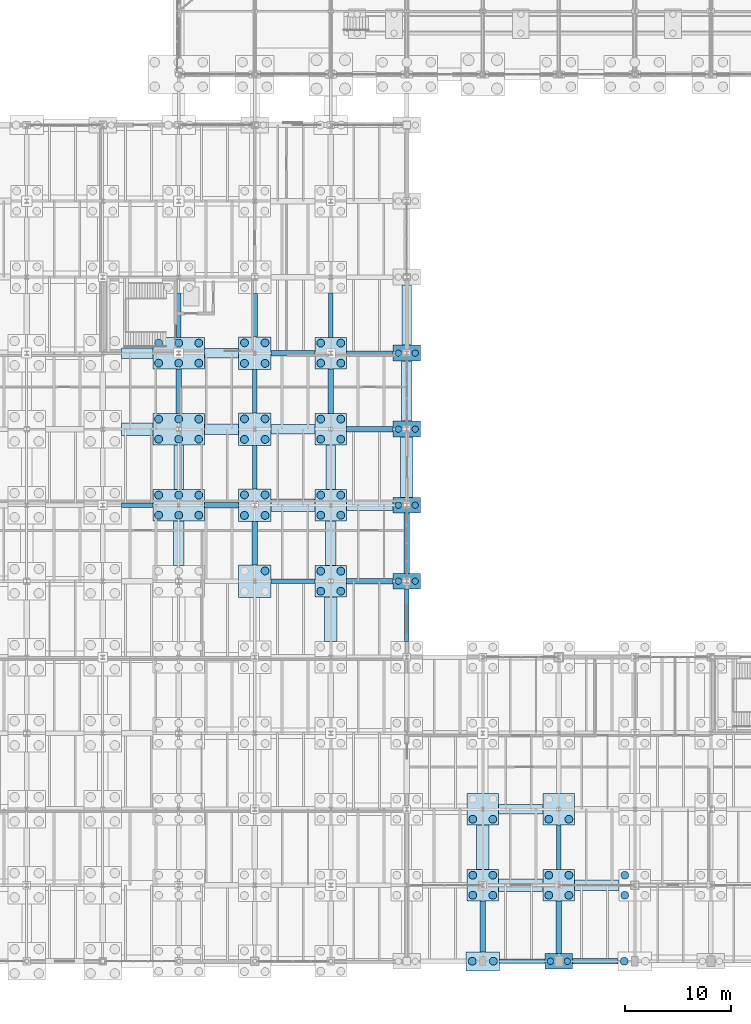
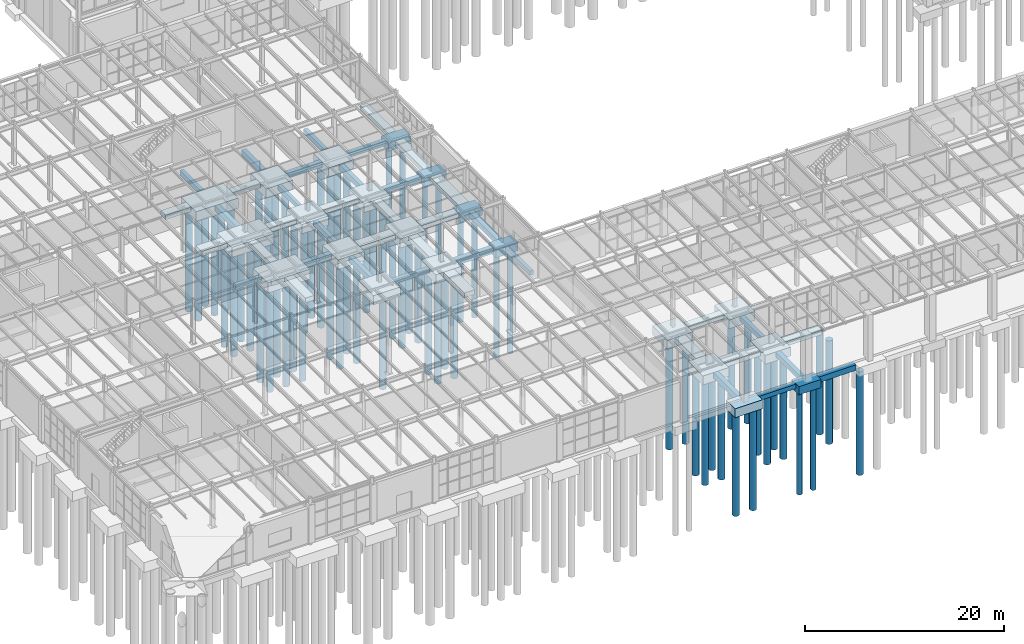
# One storey, part 4 of 293: 74 piles, 62 footings.
"""IFC4 building model written with IfcOpenShell, lengths in metres."""

from ifc_helpers import new_model, si_unit, direction, frame, origin, origin_2d, place, context, subcontext, project, spatial, rectangle, circle, extrude, material, material_profile, profile_set, type_object, element, save


model = new_model("IFC4")

# Units and contexts
model_context = context("Model", 3, precision=1e-05, world=origin(), true_north=direction((0.0, 1.0)))
body_context = subcontext(model_context, "Body", "Model", "MODEL_VIEW")
ifc_project = project(units=[si_unit("LENGTHUNIT", "METRE"), si_unit("AREAUNIT", "SQUARE_METRE"), si_unit("VOLUMEUNIT", "CUBIC_METRE"), si_unit("PLANEANGLEUNIT", "RADIAN"), si_unit("MASSUNIT", "GRAM", prefix="KILO")], contexts=[model_context])

# Site, building, storey
site_placement = place(None, origin())
site = spatial("IfcSite", under=ifc_project, at=site_placement, CompositionType="ELEMENT")
building_placement = place(site_placement, origin())
building = spatial("IfcBuilding", under=site, at=building_placement, Name="Kemerveld Promenade Tramway Depot", CompositionType="ELEMENT")
storey_placement = place(building_placement, origin())
storey = spatial("IfcBuildingStorey", under=building, at=storey_placement, Name="L00", CompositionType="ELEMENT", Elevation=0.0)

# Footings
ifc_material = material(Name="Concrete C35/45", Category="concrete")
footing_type_1 = type_object("IfcFootingType", Name="FT-GB01", PredefinedType="FOOTING_BEAM", material=ifc_material)
footing_1_placement = place(storey_placement, frame((54.10009765625, 50.39990234375, -0.949951171875), z_axis=(0.0, 0.0, 1.0), x_axis=(1.0, 0.0, 0.0)))
element("IfcFooting", 1, at=footing_1_placement, inside=storey, type_object=footing_type_1, Name="GBX-08-09-H", PredefinedType="FOOTING_BEAM", context=body_context, shape_type="SweptSolid", body=[
    extrude(rectangle(XDim=4.39990234375, YDim=0.5, at=origin_2d()), origin(), (0.0, 0.0, 1.0), 0.64990234375),
])
footing_2_placement = place(storey_placement, frame((46.824951171875, 57.60009765625, -0.949951171875), z_axis=(0.0, 0.0, 1.0), x_axis=(1.0, 0.0, 0.0)))
element("IfcFooting", 2, at=footing_2_placement, inside=storey, type_object=footing_type_1, Name="GBX-07-08-J", PredefinedType="FOOTING_BEAM", context=body_context, shape_type="SweptSolid", body=[
    extrude(rectangle(XDim=4.14990234375, YDim=0.5, at=origin_2d()), origin(), (0.0, 0.0, 1.0), 0.64990234375),
])
footing_3_placement = place(storey_placement, frame((36.0, 54.0, -0.949951171875), z_axis=(0.0, 0.0, 1.0), x_axis=(0.0, 1.0, 0.0)))
element("IfcFooting", 3, at=footing_3_placement, inside=storey, type_object=footing_type_1, Name="GBY-06-H-J", PredefinedType="FOOTING_BEAM", context=body_context, shape_type="SweptSolid", body=[
    extrude(rectangle(XDim=4.199951171875, YDim=0.5, at=origin_2d()), origin(), (0.0, 0.0, 1.0), 0.64990234375),
])
footing_4_placement = place(storey_placement, frame((43.199951171875, 39.60009765625, -0.949951171875), z_axis=(0.0, 0.0, 1.0), x_axis=(0.0, 1.0, 0.0)))
element("IfcFooting", 4, at=footing_4_placement, inside=storey, type_object=footing_type_1, Name="GBY-07-F-G", PredefinedType="FOOTING_BEAM", context=body_context, shape_type="SweptSolid", body=[
    extrude(rectangle(XDim=4.10009765625, YDim=0.5, at=origin_2d()), origin(), (0.0, 0.0, 1.0), 0.64990234375),
])
footing_5_placement = place(storey_placement, frame((50.39990234375, 54.0, -0.949951171875), z_axis=(0.0, 0.0, 1.0), x_axis=(0.0, 1.0, 0.0)))
element("IfcFooting", 5, at=footing_5_placement, inside=storey, type_object=footing_type_1, Name="GBY-08-H-J", PredefinedType="FOOTING_BEAM", context=body_context, shape_type="SweptSolid", body=[
    extrude(rectangle(XDim=4.199951171875, YDim=0.5, at=origin_2d()), origin(), (0.0, 0.0, 1.0), 0.64990234375),
])
footing_6_placement = place(storey_placement, frame((72.0, 3.22509765625, -0.949951171875), z_axis=(0.0, 0.0, 1.0), x_axis=(0.0, 1.0, 0.0)))
element("IfcFooting", 6, at=footing_6_placement, inside=storey, type_object=footing_type_1, Name="GBY-11-A-B", PredefinedType="FOOTING_BEAM", context=body_context, shape_type="SweptSolid", body=[
    extrude(rectangle(XDim=4.949951171875, YDim=0.5, at=origin_2d()), origin(), (0.0, 0.0, 1.0), 0.64990234375),
])
footing_type_2 = type_object("IfcFootingType", Name="FT-GB02", PredefinedType="FOOTING_BEAM", material=ifc_material)
footing_7_placement = place(storey_placement, frame((54.10009765625, 57.60009765625, -0.900146484375), z_axis=(0.0, 0.0, 1.0), x_axis=(1.0, 0.0, 0.0)))
element("IfcFooting", 7, at=footing_7_placement, inside=storey, type_object=footing_type_2, Name="GBX-08-09-J", PredefinedType="FOOTING_BEAM", context=body_context, shape_type="SweptSolid", body=[
    extrude(rectangle(XDim=4.39990234375, YDim=0.449951171875, at=origin_2d()), origin(), (0.0, 0.0, 1.0), 0.60009765625),
])
footing_8_placement = place(storey_placement, frame((36.0, 61.175048828125, -0.900146484375), z_axis=(0.0, 0.0, 1.0), x_axis=(0.0, 1.0, 0.0)))
element("IfcFooting", 8, at=footing_8_placement, inside=storey, type_object=footing_type_2, Name="GBY-06-J-K", PredefinedType="FOOTING_BEAM", context=body_context, shape_type="SweptSolid", body=[
    extrude(rectangle(XDim=4.14990234375, YDim=0.449951171875, at=origin_2d()), origin(), (0.0, 0.0, 1.0), 0.60009765625),
])
footing_9_placement = place(storey_placement, frame((43.199951171875, 46.800048828125, -0.900146484375), z_axis=(0.0, 0.0, 1.0), x_axis=(0.0, 1.0, 0.0)))
element("IfcFooting", 9, at=footing_9_placement, inside=storey, type_object=footing_type_2, Name="GBY-07-G-H", PredefinedType="FOOTING_BEAM", context=body_context, shape_type="SweptSolid", body=[
    extrude(rectangle(XDim=4.10009765625, YDim=0.449951171875, at=origin_2d()), origin(), (0.0, 0.0, 1.0), 0.60009765625),
])
for number, where, z_axis, x_axis, name in (
    (10, (50.39990234375, 61.199951171875, -0.900146484375), (0.0, 0.0, 1.0), (0.0, 1.0, 0.0), "GBY-08-J-K"),
    (11, (72.0, 10.800048828125, -0.900146484375), (0.0, 0.0, 1.0), (0.0, 1.0, 0.0), "GBY-11-B-C"),
):
    element("IfcFooting", number, at=place(storey_placement, frame(where, z_axis=z_axis, x_axis=x_axis)), inside=storey, type_object=footing_type_2, Name=name, PredefinedType="FOOTING_BEAM", context=body_context, shape_type="SweptSolid", body=[
        extrude(rectangle(XDim=4.199951171875, YDim=0.449951171875, at=origin_2d()), origin(), (0.0, 0.0, 1.0), 0.60009765625),
    ])
footing_type_3 = type_object("IfcFootingType", Name="FT-GB03", PredefinedType="FOOTING_BEAM", material=ifc_material)
footing_10_placement = place(storey_placement, frame((68.550048828125, 0.0, -0.85009765625), z_axis=(0.0, 0.0, 1.0), x_axis=(1.0, 0.0, 0.0)))
element("IfcFooting", 12, at=footing_10_placement, inside=storey, type_object=footing_type_3, Name="GBX-10-11-A", PredefinedType="FOOTING_BEAM", context=body_context, shape_type="SweptSolid", body=[
    extrude(rectangle(XDim=4.300048828125, YDim=0.39990234375, at=origin_2d()), origin(), (0.0, 0.0, 1.0), 0.550048828125),
])
footing_11_placement = place(storey_placement, frame((46.824951171875, 36.0, -0.85009765625), z_axis=(0.0, 0.0, 1.0), x_axis=(1.0, 0.0, 0.0)))
element("IfcFooting", 13, at=footing_11_placement, inside=storey, type_object=footing_type_3, Name="GBX-07-08-F", PredefinedType="FOOTING_BEAM", context=body_context, shape_type="SweptSolid", body=[
    extrude(rectangle(XDim=4.14990234375, YDim=0.39990234375, at=origin_2d()), origin(), (0.0, 0.0, 1.0), 0.550048828125),
])
footing_12_placement = place(storey_placement, frame((32.0625, 43.199951171875, -0.85009765625), z_axis=(0.0, 0.0, 1.0), x_axis=(1.0, 0.0, 0.0)))
element("IfcFooting", 14, at=footing_12_placement, inside=storey, type_object=footing_type_3, Name="GBX-05-06-G", PredefinedType="FOOTING_BEAM", context=body_context, shape_type="SweptSolid", body=[
    extrude(rectangle(XDim=2.97509765625, YDim=0.39990234375, at=origin_2d()), origin(), (0.0, 0.0, 1.0), 0.550048828125),
])
footing_13_placement = place(storey_placement, frame((43.199951171875, 54.0, -0.85009765625), z_axis=(0.0, 0.0, 1.0), x_axis=(0.0, 1.0, 0.0)))
element("IfcFooting", 15, at=footing_13_placement, inside=storey, type_object=footing_type_3, Name="GBY-07-H-J", PredefinedType="FOOTING_BEAM", context=body_context, shape_type="SweptSolid", body=[
    extrude(rectangle(XDim=4.10009765625, YDim=0.39990234375, at=origin_2d()), origin(), (0.0, 0.0, 1.0), 0.550048828125),
])
footing_14_placement = place(storey_placement, frame((57.60009765625, 32.77490234375, -0.85009765625), z_axis=(0.0, 0.0, 1.0), x_axis=(0.0, 1.0, 0.0)))
element("IfcFooting", 16, at=footing_14_placement, inside=storey, type_object=footing_type_3, Name="GBY-09-E-F", PredefinedType="FOOTING_BEAM", context=body_context, shape_type="SweptSolid", body=[
    extrude(rectangle(XDim=4.949951171875, YDim=0.39990234375, at=origin_2d()), origin(), (0.0, 0.0, 1.0), 0.550048828125),
])
footing_type_4 = type_object("IfcFootingType", Name="FT-GB04", PredefinedType="FOOTING_BEAM", material=ifc_material)
footing_15_placement = place(storey_placement, frame((75.449951171875, 0.0, -1.0), z_axis=(0.0, 0.0, 1.0), x_axis=(1.0, 0.0, 0.0)))
element("IfcFooting", 17, at=footing_15_placement, inside=storey, type_object=footing_type_4, Name="GBX-11-12-A", PredefinedType="FOOTING_BEAM", context=body_context, shape_type="SweptSolid", body=[
    extrude(rectangle(XDim=4.300048828125, YDim=0.550048828125, at=origin_2d()), origin(), (0.0, 0.0, 1.0), 0.699951171875),
])
footing_16_placement = place(storey_placement, frame((54.10009765625, 36.0, -1.0), z_axis=(0.0, 0.0, 1.0), x_axis=(1.0, 0.0, 0.0)))
element("IfcFooting", 18, at=footing_16_placement, inside=storey, type_object=footing_type_4, Name="GBX-08-09-F", PredefinedType="FOOTING_BEAM", context=body_context, shape_type="SweptSolid", body=[
    extrude(rectangle(XDim=4.39990234375, YDim=0.550048828125, at=origin_2d()), origin(), (0.0, 0.0, 1.0), 0.699951171875),
])
footing_17_placement = place(storey_placement, frame((40.050048828125, 43.199951171875, -1.0), z_axis=(0.0, 0.0, 1.0), x_axis=(1.0, 0.0, 0.0)))
element("IfcFooting", 19, at=footing_17_placement, inside=storey, type_object=footing_type_4, Name="GBX-06-07-G", PredefinedType="FOOTING_BEAM", context=body_context, shape_type="SweptSolid", body=[
    extrude(rectangle(XDim=3.199951171875, YDim=0.550048828125, at=origin_2d()), origin(), (0.0, 0.0, 1.0), 0.699951171875),
])
footing_18_placement = place(storey_placement, frame((43.199951171875, 61.199951171875, -1.0), z_axis=(0.0, 0.0, 1.0), x_axis=(0.0, 1.0, 0.0)))
element("IfcFooting", 20, at=footing_18_placement, inside=storey, type_object=footing_type_4, Name="GBY-07-J-K", PredefinedType="FOOTING_BEAM", context=body_context, shape_type="SweptSolid", body=[
    extrude(rectangle(XDim=4.10009765625, YDim=0.550048828125, at=origin_2d()), origin(), (0.0, 0.0, 1.0), 0.699951171875),
])
footing_19_placement = place(storey_placement, frame((57.60009765625, 39.60009765625, -1.0), z_axis=(0.0, 0.0, 1.0), x_axis=(0.0, 1.0, 0.0)))
element("IfcFooting", 21, at=footing_19_placement, inside=storey, type_object=footing_type_4, Name="GBY-09-F-G", PredefinedType="FOOTING_BEAM", context=body_context, shape_type="SweptSolid", body=[
    extrude(rectangle(XDim=5.699951171875, YDim=0.550048828125, at=origin_2d()), origin(), (0.0, 0.0, 1.0), 0.699951171875),
])
footing_20_placement = place(storey_placement, frame((64.800048828125, 3.300048828125, -1.0), z_axis=(0.0, 0.0, 1.0), x_axis=(0.0, 1.0, 0.0)))
element("IfcFooting", 22, at=footing_20_placement, inside=storey, type_object=footing_type_4, Name="GBY-10-A-B", PredefinedType="FOOTING_BEAM", context=body_context, shape_type="SweptSolid", body=[
    extrude(rectangle(XDim=4.800048828125, YDim=0.550048828125, at=origin_2d()), origin(), (0.0, 0.0, 1.0), 0.699951171875),
])
footing_type_5 = type_object("IfcFootingType", Name="FT-PC04", PredefinedType="PILE_CAP", material=ifc_material)
for number, where, z_axis, x_axis, name in (
    (23, (43.199951171875, 36.0, -1.449951171875), (0.0, 0.0, 1.0), (1.0, 0.0, 0.0), "FT-07-F"),
    (24, (43.199951171875, 43.199951171875, -1.449951171875), (0.0, 0.0, 1.0), (1.0, 0.0, 0.0), "FT-07-G"),
    (25, (43.199951171875, 50.39990234375, -1.449951171875), (0.0, 0.0, 1.0), (1.0, 0.0, 0.0), "FT-07-H"),
    (26, (43.199951171875, 57.60009765625, -1.449951171875), (0.0, 0.0, 1.0), (1.0, 0.0, 0.0), "FT-07-J"),
):
    element("IfcFooting", number, at=place(storey_placement, frame(where, z_axis=z_axis, x_axis=x_axis)), inside=storey, type_object=footing_type_5, Name=name, PredefinedType="PILE_CAP", context=body_context, shape_type="SweptSolid", body=[
        extrude(rectangle(XDim=3.10009765625, YDim=3.10009765625, at=origin_2d()), origin(), (0.0, 0.0, 1.0), 1.14990234375),
    ])
footing_type_6 = type_object("IfcFootingType", Name="FT-PC05", PredefinedType="PILE_CAP", material=ifc_material)
for number, where, z_axis, x_axis, name in (
    (27, (50.39990234375, 36.0, -1.400146484375), (0.0, 0.0, 1.0), (1.0, 0.0, 0.0), "FT-08-F"),
    (28, (50.39990234375, 43.199951171875, -1.400146484375), (0.0, 0.0, 1.0), (1.0, 0.0, 0.0), "FT-08-G"),
    (29, (50.39990234375, 50.39990234375, -1.400146484375), (0.0, 0.0, 1.0), (1.0, 0.0, 0.0), "FT-08-H"),
    (30, (50.39990234375, 57.60009765625, -1.400146484375), (0.0, 0.0, 1.0), (1.0, 0.0, 0.0), "FT-08-J"),
    (31, (64.800048828125, 7.199951171875, -1.400146484375), (0.0, 0.0, 1.0), (1.0, 0.0, 0.0), "FT-10-B"),
    (32, (64.800048828125, 14.39990234375, -1.400146484375), (0.0, 0.0, 1.0), (1.0, 0.0, 0.0), "FT-10-C"),
    (33, (72.0, 7.199951171875, -1.400146484375), (0.0, 0.0, 1.0), (1.0, 0.0, 0.0), "FT-11-B"),
    (34, (72.0, 14.39990234375, -1.400146484375), (0.0, 0.0, 1.0), (1.0, 0.0, 0.0), "FT-11-C"),
):
    element("IfcFooting", number, at=place(storey_placement, frame(where, z_axis=z_axis, x_axis=x_axis)), inside=storey, type_object=footing_type_6, Name=name, PredefinedType="PILE_CAP", context=body_context, shape_type="SweptSolid", body=[
        extrude(rectangle(XDim=3.0, YDim=3.0, at=origin_2d()), origin(), (0.0, 0.0, 1.0), 1.10009765625),
    ])
footing_type_7 = type_object("IfcFootingType", Name="FT-PC06", PredefinedType="PILE_CAP", material=ifc_material)
footing_21_placement = place(storey_placement, frame((64.800048828125, 0.0, -1.400146484375), z_axis=(0.0, 0.0, 1.0), x_axis=(1.0, 0.0, 0.0)))
element("IfcFooting", 35, at=footing_21_placement, inside=storey, type_object=footing_type_7, Name="FT-10-A", PredefinedType="PILE_CAP", context=body_context, shape_type="SweptSolid", body=[
    extrude(rectangle(XDim=3.199951171875, YDim=1.800048828125, at=origin_2d()), origin(), (0.0, 0.0, 1.0), 1.10009765625),
])
footing_type_8 = type_object("IfcFootingType", Name="FT-PC08", PredefinedType="PILE_CAP", material=ifc_material)
for number, where, z_axis, x_axis, name in (
    (36, (57.60009765625, 36.0, -1.300048828125), (0.0, 0.0, 1.0), (1.0, 0.0, 0.0), "FT-09-F"),
    (37, (57.60009765625, 43.199951171875, -1.300048828125), (0.0, 0.0, 1.0), (1.0, 0.0, 0.0), "FT-09-G"),
    (38, (57.60009765625, 50.39990234375, -1.300048828125), (0.0, 0.0, 1.0), (1.0, 0.0, 0.0), "FT-09-H"),
    (39, (57.60009765625, 57.60009765625, -1.300048828125), (0.0, 0.0, 1.0), (1.0, 0.0, 0.0), "FT-09-J"),
    (40, (72.0, 0.0, -1.300048828125), (0.0, 0.0, 1.0), (1.0, 0.0, 0.0), "FT-11-A"),
):
    element("IfcFooting", number, at=place(storey_placement, frame(where, z_axis=z_axis, x_axis=x_axis)), inside=storey, type_object=footing_type_8, Name=name, PredefinedType="PILE_CAP", context=body_context, shape_type="SweptSolid", body=[
        extrude(rectangle(XDim=2.60009765625, YDim=1.5, at=origin_2d()), origin(), (0.0, 0.0, 1.0), 1.0),
    ])
footing_type_9 = type_object("IfcFootingType", Name="FT-PC10", PredefinedType="PILE_CAP", material=ifc_material)
for number, where, z_axis, x_axis, name in (
    (41, (36.0, 43.199951171875, -1.550048828125), (0.0, 0.0, 1.0), (1.0, 0.0, 0.0), "FT-06-G"),
    (42, (36.0, 50.39990234375, -1.550048828125), (0.0, 0.0, 1.0), (1.0, 0.0, 0.0), "FT-06-H"),
    (43, (36.0, 57.60009765625, -1.550048828125), (0.0, 0.0, 1.0), (1.0, 0.0, 0.0), "FT-06-J"),
):
    element("IfcFooting", number, at=place(storey_placement, frame(where, z_axis=z_axis, x_axis=x_axis)), inside=storey, type_object=footing_type_9, Name=name, PredefinedType="PILE_CAP", context=body_context, shape_type="SweptSolid", body=[
        extrude(rectangle(XDim=4.89990234375, YDim=3.0, at=origin_2d()), origin(), (0.0, 0.0, 1.0), 1.25),
    ])
footing_type_10 = type_object("IfcFootingType", Name="FT-SF01", PredefinedType="STRIP_FOOTING", material=ifc_material)
footing_22_placement = place(storey_placement, frame((68.39990234375, 7.199951171875, -0.900146484375), z_axis=(0.0, 0.0, 1.0), x_axis=(1.0, 0.0, 0.0)))
element("IfcFooting", 44, at=footing_22_placement, inside=storey, type_object=footing_type_10, Name="GBX-10-11-B", PredefinedType="STRIP_FOOTING", context=body_context, shape_type="SweptSolid", body=[
    extrude(rectangle(XDim=4.199951171875, YDim=1.199951171875, at=origin_2d()), origin(), (0.0, 0.0, 1.0), 0.60009765625),
])
footing_23_placement = place(storey_placement, frame((46.824951171875, 43.199951171875, -0.900146484375), z_axis=(0.0, 0.0, 1.0), x_axis=(1.0, 0.0, 0.0)))
element("IfcFooting", 45, at=footing_23_placement, inside=storey, type_object=footing_type_10, Name="GBX-07-08-G", PredefinedType="STRIP_FOOTING", context=body_context, shape_type="SweptSolid", body=[
    extrude(rectangle(XDim=4.14990234375, YDim=1.199951171875, at=origin_2d()), origin(), (0.0, 0.0, 1.0), 0.60009765625),
])
footing_24_placement = place(storey_placement, frame((32.0625, 50.39990234375, -0.900146484375), z_axis=(0.0, 0.0, 1.0), x_axis=(1.0, 0.0, 0.0)))
element("IfcFooting", 46, at=footing_24_placement, inside=storey, type_object=footing_type_10, Name="GBX-05-06-H", PredefinedType="STRIP_FOOTING", context=body_context, shape_type="SweptSolid", body=[
    extrude(rectangle(XDim=2.97509765625, YDim=1.199951171875, at=origin_2d()), origin(), (0.0, 0.0, 1.0), 0.60009765625),
])
footing_25_placement = place(storey_placement, frame((50.39990234375, 32.39990234375, -0.900146484375), z_axis=(0.0, 0.0, 1.0), x_axis=(0.0, 1.0, 0.0)))
element("IfcFooting", 47, at=footing_25_placement, inside=storey, type_object=footing_type_10, Name="GBY-08-E-F", PredefinedType="STRIP_FOOTING", context=body_context, shape_type="SweptSolid", body=[
    extrude(rectangle(XDim=4.199951171875, YDim=1.199951171875, at=origin_2d()), origin(), (0.0, 0.0, 1.0), 0.60009765625),
])
footing_26_placement = place(storey_placement, frame((57.60009765625, 46.800048828125, -0.900146484375), z_axis=(0.0, 0.0, 1.0), x_axis=(0.0, 1.0, 0.0)))
element("IfcFooting", 48, at=footing_26_placement, inside=storey, type_object=footing_type_10, Name="GBY-09-G-H", PredefinedType="STRIP_FOOTING", context=body_context, shape_type="SweptSolid", body=[
    extrude(rectangle(XDim=5.699951171875, YDim=1.199951171875, at=origin_2d()), origin(), (0.0, 0.0, 1.0), 0.60009765625),
])
footing_27_placement = place(storey_placement, frame((64.800048828125, 10.800048828125, -0.900146484375), z_axis=(0.0, 0.0, 1.0), x_axis=(0.0, 1.0, 0.0)))
element("IfcFooting", 49, at=footing_27_placement, inside=storey, type_object=footing_type_10, Name="GBY-10-B-C", PredefinedType="STRIP_FOOTING", context=body_context, shape_type="SweptSolid", body=[
    extrude(rectangle(XDim=4.199951171875, YDim=1.199951171875, at=origin_2d()), origin(), (0.0, 0.0, 1.0), 0.60009765625),
])
footing_type_11 = type_object("IfcFootingType", Name="FT-SF02", PredefinedType="STRIP_FOOTING", material=ifc_material)
footing_28_placement = place(storey_placement, frame((75.60009765625, 7.199951171875, -0.85009765625), z_axis=(0.0, 0.0, 1.0), x_axis=(1.0, 0.0, 0.0)))
element("IfcFooting", 50, at=footing_28_placement, inside=storey, type_object=footing_type_11, Name="GBX-11-12-B", PredefinedType="STRIP_FOOTING", context=body_context, shape_type="SweptSolid", body=[
    extrude(rectangle(XDim=4.199951171875, YDim=1.0, at=origin_2d()), origin(), (0.0, 0.0, 1.0), 0.550048828125),
])
footing_29_placement = place(storey_placement, frame((54.10009765625, 43.199951171875, -0.85009765625), z_axis=(0.0, 0.0, 1.0), x_axis=(1.0, 0.0, 0.0)))
element("IfcFooting", 51, at=footing_29_placement, inside=storey, type_object=footing_type_11, Name="GBX-08-09-G", PredefinedType="STRIP_FOOTING", context=body_context, shape_type="SweptSolid", body=[
    extrude(rectangle(XDim=4.39990234375, YDim=1.0, at=origin_2d()), origin(), (0.0, 0.0, 1.0), 0.550048828125),
])
footing_30_placement = place(storey_placement, frame((40.050048828125, 50.39990234375, -0.85009765625), z_axis=(0.0, 0.0, 1.0), x_axis=(1.0, 0.0, 0.0)))
element("IfcFooting", 52, at=footing_30_placement, inside=storey, type_object=footing_type_11, Name="GBX-06-07-H", PredefinedType="STRIP_FOOTING", context=body_context, shape_type="SweptSolid", body=[
    extrude(rectangle(XDim=3.199951171875, YDim=1.0, at=origin_2d()), origin(), (0.0, 0.0, 1.0), 0.550048828125),
])
footing_31_placement = place(storey_placement, frame((32.0625, 57.60009765625, -0.85009765625), z_axis=(0.0, 0.0, 1.0), x_axis=(1.0, 0.0, 0.0)))
element("IfcFooting", 53, at=footing_31_placement, inside=storey, type_object=footing_type_11, Name="GBX-05-06-J", PredefinedType="STRIP_FOOTING", context=body_context, shape_type="SweptSolid", body=[
    extrude(rectangle(XDim=2.97509765625, YDim=1.0, at=origin_2d()), origin(), (0.0, 0.0, 1.0), 0.550048828125),
])
for number, where, z_axis, x_axis, name in (
    (54, (36.0, 39.60009765625, -0.85009765625), (0.0, 0.0, 1.0), (0.0, 1.0, 0.0), "GBY-06-F-G"),
    (55, (50.39990234375, 39.60009765625, -0.85009765625), (0.0, 0.0, 1.0), (0.0, 1.0, 0.0), "GBY-08-F-G"),
):
    element("IfcFooting", number, at=place(storey_placement, frame(where, z_axis=z_axis, x_axis=x_axis)), inside=storey, type_object=footing_type_11, Name=name, PredefinedType="STRIP_FOOTING", context=body_context, shape_type="SweptSolid", body=[
        extrude(rectangle(XDim=4.199951171875, YDim=1.0, at=origin_2d()), origin(), (0.0, 0.0, 1.0), 0.550048828125),
    ])
footing_32_placement = place(storey_placement, frame((57.60009765625, 54.0, -0.85009765625), z_axis=(0.0, 0.0, 1.0), x_axis=(0.0, 1.0, 0.0)))
element("IfcFooting", 56, at=footing_32_placement, inside=storey, type_object=footing_type_11, Name="GBY-09-H-J", PredefinedType="STRIP_FOOTING", context=body_context, shape_type="SweptSolid", body=[
    extrude(rectangle(XDim=5.699951171875, YDim=1.0, at=origin_2d()), origin(), (0.0, 0.0, 1.0), 0.550048828125),
])
footing_type_12 = type_object("IfcFootingType", Name="FT-SF03", PredefinedType="STRIP_FOOTING", material=ifc_material)
footing_33_placement = place(storey_placement, frame((68.39990234375, 14.39990234375, -0.800048828125), z_axis=(0.0, 0.0, 1.0), x_axis=(1.0, 0.0, 0.0)))
element("IfcFooting", 57, at=footing_33_placement, inside=storey, type_object=footing_type_12, Name="GBX-10-11-C", PredefinedType="STRIP_FOOTING", context=body_context, shape_type="SweptSolid", body=[
    extrude(rectangle(XDim=4.199951171875, YDim=0.89990234375, at=origin_2d()), origin(), (0.0, 0.0, 1.0), 0.5),
])
footing_34_placement = place(storey_placement, frame((46.824951171875, 50.39990234375, -0.800048828125), z_axis=(0.0, 0.0, 1.0), x_axis=(1.0, 0.0, 0.0)))
element("IfcFooting", 58, at=footing_34_placement, inside=storey, type_object=footing_type_12, Name="GBX-07-08-H", PredefinedType="STRIP_FOOTING", context=body_context, shape_type="SweptSolid", body=[
    extrude(rectangle(XDim=4.14990234375, YDim=0.89990234375, at=origin_2d()), origin(), (0.0, 0.0, 1.0), 0.5),
])
footing_35_placement = place(storey_placement, frame((40.050048828125, 57.60009765625, -0.800048828125), z_axis=(0.0, 0.0, 1.0), x_axis=(1.0, 0.0, 0.0)))
element("IfcFooting", 59, at=footing_35_placement, inside=storey, type_object=footing_type_12, Name="GBX-06-07-J", PredefinedType="STRIP_FOOTING", context=body_context, shape_type="SweptSolid", body=[
    extrude(rectangle(XDim=3.199951171875, YDim=0.89990234375, at=origin_2d()), origin(), (0.0, 0.0, 1.0), 0.5),
])
for number, where, z_axis, x_axis, name in (
    (60, (36.0, 46.800048828125, -0.800048828125), (0.0, 0.0, 1.0), (0.0, 1.0, 0.0), "GBY-06-G-H"),
    (61, (50.39990234375, 46.800048828125, -0.800048828125), (0.0, 0.0, 1.0), (0.0, 1.0, 0.0), "GBY-08-G-H"),
):
    element("IfcFooting", number, at=place(storey_placement, frame(where, z_axis=z_axis, x_axis=x_axis)), inside=storey, type_object=footing_type_12, Name=name, PredefinedType="STRIP_FOOTING", context=body_context, shape_type="SweptSolid", body=[
        extrude(rectangle(XDim=4.199951171875, YDim=0.89990234375, at=origin_2d()), origin(), (0.0, 0.0, 1.0), 0.5),
    ])
footing_36_placement = place(storey_placement, frame((57.60009765625, 61.199951171875, -0.800048828125), z_axis=(0.0, 0.0, 1.0), x_axis=(0.0, 1.0, 0.0)))
element("IfcFooting", 62, at=footing_36_placement, inside=storey, type_object=footing_type_12, Name="GBY-09-J-K", PredefinedType="STRIP_FOOTING", context=body_context, shape_type="SweptSolid", body=[
    extrude(rectangle(XDim=5.699951171875, YDim=0.89990234375, at=origin_2d()), origin(), (0.0, 0.0, 1.0), 0.5),
])

# Piles
ifc_material_profile_1 = material_profile(ifc_material, circle(Radius=0.300048828125, at=origin_2d()), Name="PILE-D600")
ifc_profile_set_1 = profile_set([ifc_material_profile_1], Name="Concrete C35/45")
pile_type_1 = type_object("IfcPileType", Name="PL-BOR-600", PredefinedType="BORED", material=ifc_profile_set_1)
for number, where, z_axis, x_axis, name in (
    (63, (56.800048828125, 36.0, -1.199951171875), (0.0, 0.0, -1.0), (1.0, 0.0, 0.0), "PIL-09-F-1"),
    (64, (58.39990234375, 36.0, -1.199951171875), (0.0, 0.0, -1.0), (1.0, 0.0, 0.0), "PIL-09-F-2"),
    (65, (56.800048828125, 43.199951171875, -1.199951171875), (0.0, 0.0, -1.0), (1.0, 0.0, 0.0), "PIL-09-G-1"),
    (66, (58.39990234375, 43.199951171875, -1.199951171875), (0.0, 0.0, -1.0), (1.0, 0.0, 0.0), "PIL-09-G-2"),
    (67, (56.800048828125, 50.39990234375, -1.199951171875), (0.0, 0.0, -1.0), (1.0, 0.0, 0.0), "PIL-09-H-1"),
    (68, (58.39990234375, 50.39990234375, -1.199951171875), (0.0, 0.0, -1.0), (1.0, 0.0, 0.0), "PIL-09-H-2"),
    (69, (56.800048828125, 57.60009765625, -1.199951171875), (0.0, 0.0, -1.0), (1.0, 0.0, 0.0), "PIL-09-J-1"),
    (70, (58.39990234375, 57.60009765625, -1.199951171875), (0.0, 0.0, -1.0), (1.0, 0.0, 0.0), "PIL-09-J-2"),
    (71, (71.199951171875, 0.0, -1.199951171875), (0.0, 0.0, -1.0), (1.0, 0.0, 0.0), "PIL-11-A-1"),
    (72, (72.800048828125, 0.0, -1.199951171875), (0.0, 0.0, -1.0), (1.0, 0.0, 0.0), "PIL-11-A-2"),
):
    element("IfcPile", number, at=place(storey_placement, frame(where, z_axis=z_axis, x_axis=x_axis)), inside=storey, type_object=pile_type_1, Name=name, PredefinedType="BORED", context=body_context, shape_type="SweptSolid", body=[
        extrude(circle(Radius=0.300048828125, at=origin_2d()), origin(), (0.0, 0.0, 1.0), 12.800048828125),
    ])
ifc_material_profile_2 = material_profile(ifc_material, circle(Radius=0.375, at=origin_2d()), Name="PILE-D750")
ifc_profile_set_2 = profile_set([ifc_material_profile_2], Name="Concrete C35/45")
pile_type_2 = type_object("IfcPileType", Name="PL-BOR-750", PredefinedType="BORED", material=ifc_profile_set_2)
for number, where, z_axis, x_axis, name in (
    (73, (34.10009765625, 42.25, -1.449951171875), (0.0, 0.0, -1.0), (1.0, 0.0, 0.0), "PIL-06-G-1"),
    (74, (36.0, 42.25, -1.449951171875), (0.0, 0.0, -1.0), (1.0, 0.0, 0.0), "PIL-06-G-2"),
    (75, (37.89990234375, 42.25, -1.449951171875), (0.0, 0.0, -1.0), (1.0, 0.0, 0.0), "PIL-06-G-3"),
    (76, (34.10009765625, 44.14990234375, -1.449951171875), (0.0, 0.0, -1.0), (1.0, 0.0, 0.0), "PIL-06-G-4"),
    (77, (36.0, 44.14990234375, -1.449951171875), (0.0, 0.0, -1.0), (1.0, 0.0, 0.0), "PIL-06-G-5"),
    (78, (37.89990234375, 44.14990234375, -1.449951171875), (0.0, 0.0, -1.0), (1.0, 0.0, 0.0), "PIL-06-G-6"),
    (79, (34.10009765625, 49.449951171875, -1.449951171875), (0.0, 0.0, -1.0), (1.0, 0.0, 0.0), "PIL-06-H-1"),
    (80, (36.0, 49.449951171875, -1.449951171875), (0.0, 0.0, -1.0), (1.0, 0.0, 0.0), "PIL-06-H-2"),
    (81, (37.89990234375, 49.449951171875, -1.449951171875), (0.0, 0.0, -1.0), (1.0, 0.0, 0.0), "PIL-06-H-3"),
    (82, (34.10009765625, 51.35009765625, -1.449951171875), (0.0, 0.0, -1.0), (1.0, 0.0, 0.0), "PIL-06-H-4"),
    (83, (36.0, 51.35009765625, -1.449951171875), (0.0, 0.0, -1.0), (1.0, 0.0, 0.0), "PIL-06-H-5"),
    (84, (37.89990234375, 51.35009765625, -1.449951171875), (0.0, 0.0, -1.0), (1.0, 0.0, 0.0), "PIL-06-H-6"),
    (85, (34.10009765625, 56.64990234375, -1.449951171875), (0.0, 0.0, -1.0), (1.0, 0.0, 0.0), "PIL-06-J-1"),
    (86, (36.0, 56.64990234375, -1.449951171875), (0.0, 0.0, -1.0), (1.0, 0.0, 0.0), "PIL-06-J-2"),
    (87, (37.89990234375, 56.64990234375, -1.449951171875), (0.0, 0.0, -1.0), (1.0, 0.0, 0.0), "PIL-06-J-3"),
    (88, (34.10009765625, 58.550048828125, -1.449951171875), (0.0, 0.0, -1.0), (1.0, 0.0, 0.0), "PIL-06-J-4"),
    (89, (36.0, 58.550048828125, -1.449951171875), (0.0, 0.0, -1.0), (1.0, 0.0, 0.0), "PIL-06-J-5"),
    (90, (37.89990234375, 58.550048828125, -1.449951171875), (0.0, 0.0, -1.0), (1.0, 0.0, 0.0), "PIL-06-J-6"),
):
    element("IfcPile", number, at=place(storey_placement, frame(where, z_axis=z_axis, x_axis=x_axis)), inside=storey, type_object=pile_type_2, Name=name, PredefinedType="BORED", context=body_context, shape_type="SweptSolid", body=[
        extrude(circle(Radius=0.375, at=origin_2d()), origin(), (0.0, 0.0, 1.0), 12.550048828125),
    ])
for number, where, z_axis, x_axis, name in (
    (91, (44.175048828125, 36.97509765625, -1.35009765625), (0.0, 0.0, -1.0), (1.0, 0.0, 0.0), "PIL-07-F-4"),
    (92, (42.22509765625, 42.22509765625, -1.35009765625), (0.0, 0.0, -1.0), (1.0, 0.0, 0.0), "PIL-07-G-1"),
    (93, (44.175048828125, 42.22509765625, -1.35009765625), (0.0, 0.0, -1.0), (1.0, 0.0, 0.0), "PIL-07-G-2"),
    (94, (42.22509765625, 44.175048828125, -1.35009765625), (0.0, 0.0, -1.0), (1.0, 0.0, 0.0), "PIL-07-G-3"),
    (95, (44.175048828125, 44.175048828125, -1.35009765625), (0.0, 0.0, -1.0), (1.0, 0.0, 0.0), "PIL-07-G-4"),
    (96, (42.22509765625, 49.425048828125, -1.35009765625), (0.0, 0.0, -1.0), (1.0, 0.0, 0.0), "PIL-07-H-1"),
    (97, (44.175048828125, 49.425048828125, -1.35009765625), (0.0, 0.0, -1.0), (1.0, 0.0, 0.0), "PIL-07-H-2"),
    (98, (42.22509765625, 51.375, -1.35009765625), (0.0, 0.0, -1.0), (1.0, 0.0, 0.0), "PIL-07-H-3"),
    (99, (44.175048828125, 51.375, -1.35009765625), (0.0, 0.0, -1.0), (1.0, 0.0, 0.0), "PIL-07-H-4"),
    (100, (42.22509765625, 56.625, -1.35009765625), (0.0, 0.0, -1.0), (1.0, 0.0, 0.0), "PIL-07-J-1"),
    (101, (44.175048828125, 56.625, -1.35009765625), (0.0, 0.0, -1.0), (1.0, 0.0, 0.0), "PIL-07-J-2"),
    (102, (42.22509765625, 58.574951171875, -1.35009765625), (0.0, 0.0, -1.0), (1.0, 0.0, 0.0), "PIL-07-J-3"),
    (103, (44.175048828125, 58.574951171875, -1.35009765625), (0.0, 0.0, -1.0), (1.0, 0.0, 0.0), "PIL-07-J-4"),
):
    element("IfcPile", number, at=place(storey_placement, frame(where, z_axis=z_axis, x_axis=x_axis)), inside=storey, type_object=pile_type_2, Name=name, PredefinedType="BORED", context=body_context, shape_type="SweptSolid", body=[
        extrude(circle(Radius=0.375, at=origin_2d()), origin(), (0.0, 0.0, 1.0), 12.64990234375),
    ])
for number, where, z_axis, x_axis, name in (
    (104, (49.449951171875, 35.050048828125, -1.300048828125), (0.0, 0.0, -1.0), (1.0, 0.0, 0.0), "PIL-08-F-1"),
    (105, (51.35009765625, 35.050048828125, -1.300048828125), (0.0, 0.0, -1.0), (1.0, 0.0, 0.0), "PIL-08-F-2"),
    (106, (49.449951171875, 36.949951171875, -1.300048828125), (0.0, 0.0, -1.0), (1.0, 0.0, 0.0), "PIL-08-F-3"),
    (107, (51.35009765625, 36.949951171875, -1.300048828125), (0.0, 0.0, -1.0), (1.0, 0.0, 0.0), "PIL-08-F-4"),
    (108, (49.449951171875, 42.25, -1.300048828125), (0.0, 0.0, -1.0), (1.0, 0.0, 0.0), "PIL-08-G-1"),
    (109, (51.35009765625, 42.25, -1.300048828125), (0.0, 0.0, -1.0), (1.0, 0.0, 0.0), "PIL-08-G-2"),
    (110, (49.449951171875, 44.14990234375, -1.300048828125), (0.0, 0.0, -1.0), (1.0, 0.0, 0.0), "PIL-08-G-3"),
    (111, (51.35009765625, 44.14990234375, -1.300048828125), (0.0, 0.0, -1.0), (1.0, 0.0, 0.0), "PIL-08-G-4"),
    (112, (49.449951171875, 49.449951171875, -1.300048828125), (0.0, 0.0, -1.0), (1.0, 0.0, 0.0), "PIL-08-H-1"),
    (113, (51.35009765625, 49.449951171875, -1.300048828125), (0.0, 0.0, -1.0), (1.0, 0.0, 0.0), "PIL-08-H-2"),
    (114, (49.449951171875, 51.35009765625, -1.300048828125), (0.0, 0.0, -1.0), (1.0, 0.0, 0.0), "PIL-08-H-3"),
    (115, (51.35009765625, 51.35009765625, -1.300048828125), (0.0, 0.0, -1.0), (1.0, 0.0, 0.0), "PIL-08-H-4"),
    (116, (49.449951171875, 56.64990234375, -1.300048828125), (0.0, 0.0, -1.0), (1.0, 0.0, 0.0), "PIL-08-J-1"),
    (117, (51.35009765625, 56.64990234375, -1.300048828125), (0.0, 0.0, -1.0), (1.0, 0.0, 0.0), "PIL-08-J-2"),
    (118, (49.449951171875, 58.550048828125, -1.300048828125), (0.0, 0.0, -1.0), (1.0, 0.0, 0.0), "PIL-08-J-3"),
    (119, (51.35009765625, 58.550048828125, -1.300048828125), (0.0, 0.0, -1.0), (1.0, 0.0, 0.0), "PIL-08-J-4"),
    (120, (63.800048828125, 0.0, -1.300048828125), (0.0, 0.0, -1.0), (1.0, 0.0, 0.0), "PIL-10-A-1"),
    (121, (65.800048828125, 0.0, -1.300048828125), (0.0, 0.0, -1.0), (1.0, 0.0, 0.0), "PIL-10-A-2"),
    (122, (63.85009765625, 6.25, -1.300048828125), (0.0, 0.0, -1.0), (1.0, 0.0, 0.0), "PIL-10-B-1"),
    (123, (65.75, 6.25, -1.300048828125), (0.0, 0.0, -1.0), (1.0, 0.0, 0.0), "PIL-10-B-2"),
    (124, (63.85009765625, 8.14990234375, -1.300048828125), (0.0, 0.0, -1.0), (1.0, 0.0, 0.0), "PIL-10-B-3"),
    (125, (65.75, 8.14990234375, -1.300048828125), (0.0, 0.0, -1.0), (1.0, 0.0, 0.0), "PIL-10-B-4"),
    (126, (63.85009765625, 13.449951171875, -1.300048828125), (0.0, 0.0, -1.0), (1.0, 0.0, 0.0), "PIL-10-C-1"),
    (127, (65.75, 13.449951171875, -1.300048828125), (0.0, 0.0, -1.0), (1.0, 0.0, 0.0), "PIL-10-C-2"),
    (128, (71.050048828125, 6.25, -1.300048828125), (0.0, 0.0, -1.0), (1.0, 0.0, 0.0), "PIL-11-B-1"),
    (129, (72.949951171875, 6.25, -1.300048828125), (0.0, 0.0, -1.0), (1.0, 0.0, 0.0), "PIL-11-B-2"),
    (130, (71.050048828125, 8.14990234375, -1.300048828125), (0.0, 0.0, -1.0), (1.0, 0.0, 0.0), "PIL-11-B-3"),
    (131, (72.949951171875, 8.14990234375, -1.300048828125), (0.0, 0.0, -1.0), (1.0, 0.0, 0.0), "PIL-11-B-4"),
    (132, (71.050048828125, 13.449951171875, -1.300048828125), (0.0, 0.0, -1.0), (1.0, 0.0, 0.0), "PIL-11-C-1"),
    (133, (72.949951171875, 13.449951171875, -1.300048828125), (0.0, 0.0, -1.0), (1.0, 0.0, 0.0), "PIL-11-C-2"),
    (134, (78.199951171875, 0.0, -1.300048828125), (0.0, 0.0, -1.0), (1.0, 0.0, 0.0), "PIL-12-A-1"),
    (135, (78.25, 6.25, -1.300048828125), (0.0, 0.0, -1.0), (1.0, 0.0, 0.0), "PIL-12-B-1"),
    (136, (78.25, 8.14990234375, -1.300048828125), (0.0, 0.0, -1.0), (1.0, 0.0, 0.0), "PIL-12-B-3"),
):
    element("IfcPile", number, at=place(storey_placement, frame(where, z_axis=z_axis, x_axis=x_axis)), inside=storey, type_object=pile_type_2, Name=name, PredefinedType="BORED", context=body_context, shape_type="SweptSolid", body=[
        extrude(circle(Radius=0.375, at=origin_2d()), origin(), (0.0, 0.0, 1.0), 12.699951171875),
    ])

save(model, "model.ifc")
